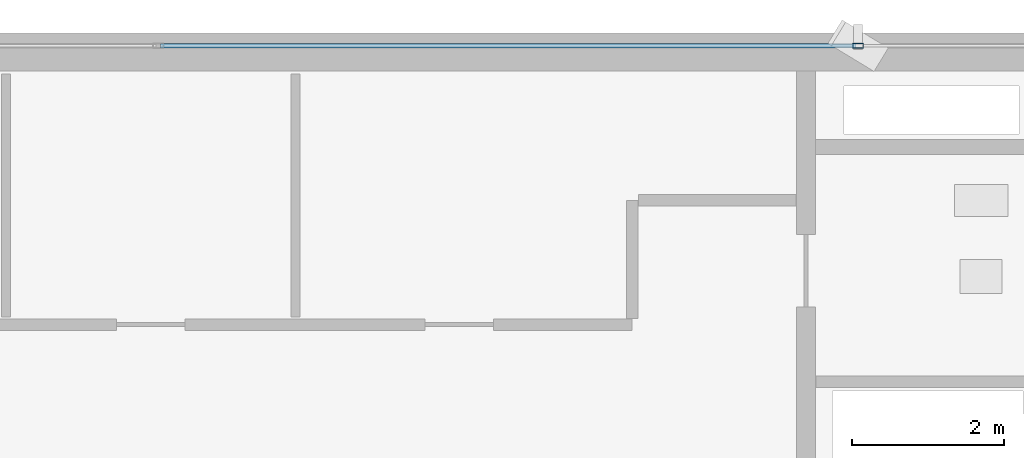
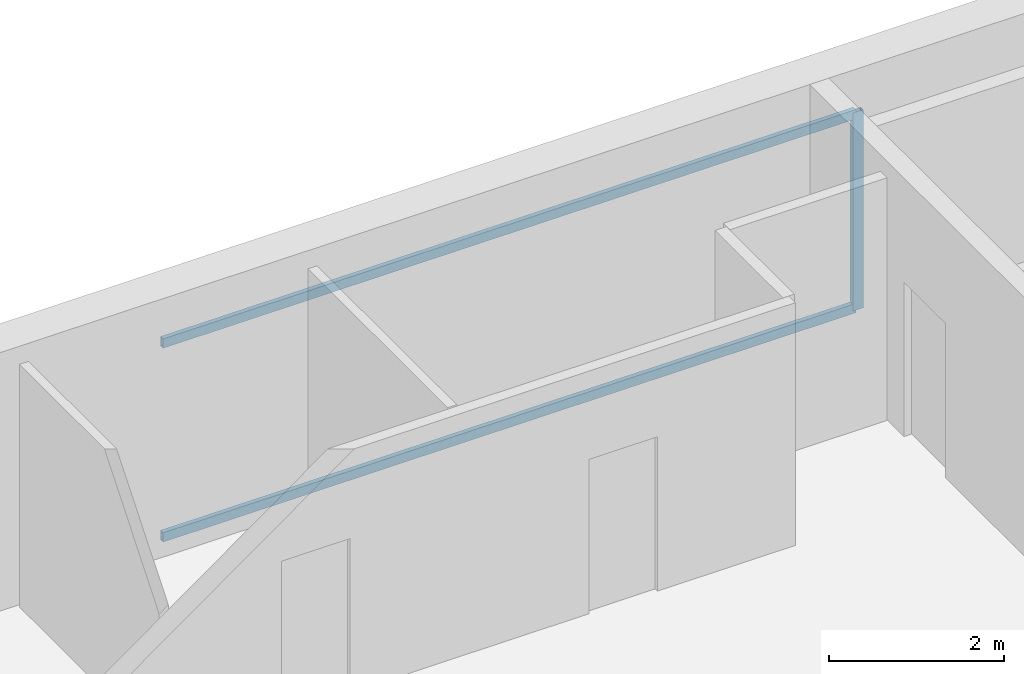
# One storey, part 21 of 29: 3 members, 1 element without a shape of its own.
"""IFC4 building model written with IfcOpenShell, lengths in metres."""

import ifcopenshell
import ifcopenshell.guid

model = None  # the IFC model being written
_history = None  # IfcOwnerHistory: only IFC2X3 demands one
_inside = {}  # id of a spatial element -> (the spatial element, [elements in it])
_under = {}  # id of a project, library or spatial element -> (it, [spatial elements below it])
_declared = {}  # id of a project -> (the project, [libraries it declares])
_typed = {}  # id of a type object -> (the type object, [elements of that type])
_made_of = {}  # id of a material, layer set ... -> (it, [elements and type objects made of it])


def new_model(schema):
    """Start an empty IFC model of exactly this schema.

    Asked for "IFC4X3", IfcOpenShell would pick the latest addendum, in which some entities
    have other attributes; the version numbers below select the first issue.
    IFC2X3 requires an IfcOwnerHistory on every rooted entity: one is made here for all.
    """
    global model, _history
    if schema == "IFC4X3":
        model = ifcopenshell.file(schema_version=(4, 3, 0, 0))
    else:
        model = ifcopenshell.file(schema=schema)
    _inside.clear()
    _under.clear()
    _declared.clear()
    _typed.clear()
    _made_of.clear()
    _history = None
    if model.schema == "IFC2X3":
        org = make("IfcOrganization", Name="unknown")
        user = make(
            "IfcPersonAndOrganization",
            ThePerson=make("IfcPerson", FamilyName="unknown"),
            TheOrganization=org,
        )
        app = make(
            "IfcApplication",
            ApplicationDeveloper=org,
            Version="unknown",
            ApplicationFullName="unknown",
            ApplicationIdentifier="unknown",
        )
        _history = make(
            "IfcOwnerHistory",
            OwningUser=user,
            OwningApplication=app,
            ChangeAction="ADDED",
            CreationDate=0,
        )
    return model


def make(cls, **values):
    """One entity of the class cls with the attributes given. An attribute that is None is left unset."""
    return model.create_entity(
        cls, **{name: value for name, value in values.items() if value is not None}
    )


def rooted(cls, **values):
    """An entity with a GlobalId (a new one), such as an element, a storey or a relation."""
    return make(cls, GlobalId=ifcopenshell.guid.new(), OwnerHistory=_history, **values)


def si_unit(unit_type, name, prefix=None):
    """IfcSIUnit, for example si_unit("LENGTHUNIT", "METRE", prefix="MILLI")."""
    return make("IfcSIUnit", UnitType=unit_type, Prefix=prefix, Name=name)


def assignment(units):
    """IfcUnitAssignment: the units of a project."""
    return None if units is None else make("IfcUnitAssignment", Units=units)


def point(xyz):
    """IfcCartesianPoint."""
    return None if xyz is None else make("IfcCartesianPoint", Coordinates=xyz)


def direction(xyz):
    """IfcDirection."""
    return None if xyz is None else make("IfcDirection", DirectionRatios=xyz)


def frame(location, z_axis=None, x_axis=None):
    """IfcAxis2Placement3D, a coordinate frame: its origin and axes. An axis left out is left unset."""
    return make(
        "IfcAxis2Placement3D",
        Location=point(location),
        Axis=direction(z_axis),
        RefDirection=direction(x_axis),
    )


def frame_2d(location, x_axis=None):
    """IfcAxis2Placement2D, a coordinate frame in the plane: its origin and x axis."""
    return make(
        "IfcAxis2Placement2D", Location=point(location), RefDirection=direction(x_axis)
    )


def origin():
    """The frame at (0, 0, 0) with its axes left unset."""
    return frame((0.0, 0.0, 0.0))


def origin_2d():
    """The frame at (0, 0) in the plane with its x axis left unset."""
    return frame_2d((0.0, 0.0))


def place(relative_to, where):
    """IfcLocalPlacement: puts the frame where relative to a parent placement (None: the world)."""
    return make(
        "IfcLocalPlacement", PlacementRelTo=relative_to, RelativePlacement=where
    )


def context(
    kind, dimensions, precision=None, world=None, true_north=None, identifier=None
):
    """IfcGeometricRepresentationContext, for example the 3D "Model" context."""
    return make(
        "IfcGeometricRepresentationContext",
        ContextIdentifier=identifier,
        ContextType=kind,
        CoordinateSpaceDimension=dimensions,
        Precision=precision,
        WorldCoordinateSystem=world,
        TrueNorth=true_north,
    )


def subcontext(parent, identifier, kind, view, scale=None):
    """IfcGeometricRepresentationSubContext, for example "Body" below "Model"."""
    return make(
        "IfcGeometricRepresentationSubContext",
        ContextIdentifier=identifier,
        ContextType=kind,
        ParentContext=parent,
        TargetScale=scale,
        TargetView=view,
    )


def project(units=None, contexts=None):
    """IfcProject with its units and contexts."""
    return rooted(
        "IfcProject",
        Name="project",
        RepresentationContexts=contexts,
        UnitsInContext=assignment(units),
    )


def spatial(cls, under=None, at=None, **own):
    """A site, building, storey or space (cls), placed at a placement, below another one or the project."""
    s = rooted(cls, ObjectPlacement=at, **own)
    if under is not None:
        _under.setdefault(under.id(), (under, []))[1].append(s)
    return s


def profile(cls, at=None, kind="AREA", **sizes):
    """A parametric profile (cls). Its sizes go by their IFC names, for example OverallWidth=200.0."""
    return make(cls, ProfileType=kind, Position=at, **sizes)


def hollow_rectangle(**sizes):
    """IfcRectangleHollowProfileDef."""
    return profile("IfcRectangleHollowProfileDef", **sizes)


def extrude(swept, where, along, depth):
    """IfcExtrudedAreaSolid: the profile swept, set in the frame where, extruded along a direction by depth."""
    return make(
        "IfcExtrudedAreaSolid",
        SweptArea=swept,
        Position=where,
        ExtrudedDirection=direction(along),
        Depth=depth,
    )


def shape(context_of_items, identifier, shape_type, items):
    """IfcShapeRepresentation: the items that make up one representation, for example the "Body"."""
    return make(
        "IfcShapeRepresentation",
        ContextOfItems=context_of_items,
        RepresentationIdentifier=identifier,
        RepresentationType=shape_type,
        Items=items,
    )


def source(mapping_origin, context_of_items, identifier, shape_type, items):
    """IfcRepresentationMap: a shape defined once, which mapped items show again and again."""
    return make(
        "IfcRepresentationMap",
        MappingOrigin=mapping_origin,
        MappedRepresentation=shape(context_of_items, identifier, shape_type, items),
    )


def transform(
    local_origin,
    x_axis=None,
    y_axis=None,
    z_axis=None,
    scale=None,
    scale2=None,
    scale3=None,
    uniform=True,
):
    """IfcCartesianTransformationOperator3D, or its non-uniform kind. x_axis, y_axis, z_axis: its Axis1, 2, 3."""
    if uniform:
        return make(
            "IfcCartesianTransformationOperator3D",
            Axis1=direction(x_axis),
            Axis2=direction(y_axis),
            LocalOrigin=point(local_origin),
            Scale=scale,
            Axis3=direction(z_axis),
        )
    return make(
        "IfcCartesianTransformationOperator3DnonUniform",
        Axis1=direction(x_axis),
        Axis2=direction(y_axis),
        LocalOrigin=point(local_origin),
        Scale=scale,
        Axis3=direction(z_axis),
        Scale2=scale2,
        Scale3=scale3,
    )


def mapped(mapping_source, mapping_target):
    """IfcMappedItem: shows the shape of a source again, moved by a transform."""
    return make(
        "IfcMappedItem", MappingSource=mapping_source, MappingTarget=mapping_target
    )


def material(Name=None, Category=None):
    """IfcMaterial."""
    return make("IfcMaterial", Name=Name, Category=Category)


def layer(
    of_material, thickness, ventilated=None, Name=None, Category=None, Priority=None
):
    """IfcMaterialLayer: one layer of a wall or slab, of a material (None: an air gap)."""
    return make(
        "IfcMaterialLayer",
        Material=of_material,
        LayerThickness=thickness,
        IsVentilated=ventilated,
        Name=Name,
        Category=Category,
        Priority=Priority,
    )


def layer_set(layers, Name=None):
    """IfcMaterialLayerSet."""
    return make("IfcMaterialLayerSet", MaterialLayers=layers, LayerSetName=Name)


def material_profile(
    of_material, cross_section, Name=None, Category=None, Priority=None
):
    """IfcMaterialProfile: a cross section and its material."""
    return make(
        "IfcMaterialProfile",
        Name=Name,
        Material=of_material,
        Profile=cross_section,
        Priority=Priority,
        Category=Category,
    )


def profile_set(profiles, Name=None, composite=None):
    """IfcMaterialProfileSet."""
    return make(
        "IfcMaterialProfileSet",
        Name=Name,
        MaterialProfiles=profiles,
        CompositeProfile=composite,
    )


def made_of(thing, what):
    """Note that an element or type object is made of a material, layer set ...; save() writes the relation."""
    if what is not None:
        _made_of.setdefault(what.id(), (what, []))[1].append(thing)
    return thing


def type_object(cls, material=None, **own):
    """A type object (cls), such as IfcWallType, which elements share."""
    return made_of(rooted(cls, **own), material)


def element(
    cls,
    number,
    at=None,
    inside=None,
    cuts=None,
    type_object=None,
    material=None,
    context=None,
    identifier="Body",
    shape_type=None,
    held_by="IfcProductDefinitionShape",
    body=None,
    shapes=None,
    **own,
):
    """One element of the class cls, such as IfcWall. Its Tag is "e" and its number.

    at: its placement. inside: the storey or other place that contains it. cuts: it is an
    opening in that element (IfcRelVoidsElement). A single representation is given by context,
    identifier, shape_type and body (its items); several are given by shapes. held_by: the class
    of the entity that holds the representations. save() writes the other relations.
    """
    e = rooted(cls, Tag="e%d" % number, ObjectPlacement=at, **own)
    if body is not None:
        shapes = [shape(context, identifier, shape_type, body)]
    if shapes is not None:
        e.Representation = make(held_by, Representations=shapes)
    if inside is not None:
        _inside.setdefault(inside.id(), (inside, []))[1].append(e)
    if cuts is not None:
        rooted(
            "IfcRelVoidsElement", RelatingBuildingElement=cuts, RelatedOpeningElement=e
        )
    if type_object is not None:
        _typed.setdefault(type_object.id(), (type_object, []))[1].append(e)
    return made_of(e, material)


def aggregate(whole, parts):
    """IfcRelAggregates: a whole, such as a stair, and the parts it consists of."""
    return rooted("IfcRelAggregates", RelatingObject=whole, RelatedObjects=parts)


def save(model, path):
    """Write the relations noted so far, then the file.

    IfcRelAggregates (storeys below a building ...), IfcRelContainedInSpatialStructure (elements
    in a storey), IfcRelDefinesByType, IfcRelAssociatesMaterial and IfcRelDeclares: one each for
    every whole, place, type object, material and project.
    """
    for whole, parts in _under.values():
        aggregate(whole, parts)
    for where, things in _inside.values():
        rooted(
            "IfcRelContainedInSpatialStructure",
            RelatedElements=things,
            RelatingStructure=where,
        )
    for kind, things in _typed.values():
        rooted("IfcRelDefinesByType", RelatedObjects=things, RelatingType=kind)
    for what, things in _made_of.values():
        rooted("IfcRelAssociatesMaterial", RelatedObjects=things, RelatingMaterial=what)
    for by, libraries in _declared.values():
        rooted("IfcRelDeclares", RelatingContext=by, RelatedDefinitions=libraries)
    model.write(path)


model = new_model("IFC4")

# Units and contexts
model_context = context("Model", 3, precision=1e-05, world=origin(), true_north=direction((0.0, 1.0)))
body_context = subcontext(model_context, "Body", "Model", "MODEL_VIEW")
ifc_project = project(units=[si_unit("LENGTHUNIT", "METRE"), si_unit("AREAUNIT", "SQUARE_METRE"), si_unit("VOLUMEUNIT", "CUBIC_METRE"), si_unit("PLANEANGLEUNIT", "RADIAN"), si_unit("MASSUNIT", "GRAM", prefix="KILO")], contexts=[model_context])

# Site, building, storey
site_placement = place(None, origin())
site = spatial("IfcSite", under=ifc_project, at=site_placement, CompositionType="ELEMENT")
building_placement = place(site_placement, origin())
building = spatial("IfcBuilding", under=site, at=building_placement, Name="Sumidabori Civic Tower", CompositionType="ELEMENT")
storey_placement = place(building_placement, frame((0.0, 0.0, 214.39990234375)))
storey = spatial("IfcBuildingStorey", under=building, at=storey_placement, Name="L55", CompositionType="ELEMENT", Elevation=214.39990234375)

# Curtain wall, members
ifc_material = material(Name="Anodised Bronze Aluminium AW-6063-T6", Category="aluminium")
ifc_layer = layer(ifc_material, 0.179931640625, Name="Anodised Bronze Aluminium AW-6063-T6")
ifc_layer_set = layer_set([ifc_layer], Name="Anodised Bronze Aluminium AW-6063-T6")
curtain_wall_type = type_object("IfcCurtainWallType", Name="CW-SYS-5", PredefinedType="NOTDEFINED", material=ifc_layer_set)
curtain_wall_placement = place(storey_placement, origin())
curtain_wall = element("IfcCurtainWall", 1, at=curtain_wall_placement, inside=storey, type_object=curtain_wall_type, Name="Curtain Wall CW:L55:R13", PredefinedType="NOTDEFINED")
ifc_material_profile_1 = material_profile(ifc_material, hollow_rectangle(XDim=0.06005859375, YDim=0.139892578125, WallThickness=0.0048828125, at=origin_2d()), Name="ALU MULLION 140x60")
ifc_profile_set_1 = profile_set([ifc_material_profile_1], Name="Anodised Bronze Aluminium AW-6063-T6")
member_type_1 = type_object("IfcMemberType", Name="CW-MUL-140", PredefinedType="MULLION", material=ifc_profile_set_1)
shared_shape_1 = source(origin(), body_context, "Body", "SweptSolid", [
    extrude(hollow_rectangle(XDim=0.06005859375, YDim=0.139892578125, WallThickness=0.0048828125, at=origin_2d()), origin(), (0.0, 0.0, 1.0), 2.760009765625),
])
member_1_placement = place(storey_placement, frame((9.18505859375, 23.8798828125, 0.0), z_axis=(0.0, 0.0, 1.0), x_axis=(0.0, -1.0, 0.0)))
member_1 = element("IfcMember", 2, at=member_1_placement, type_object=member_type_1, Name="CW-5 mullion 2", PredefinedType="MULLION", context=body_context, shape_type="MappedRepresentation", body=[
    mapped(shared_shape_1, transform((0.0, 0.0, 0.0), x_axis=(1.0, 0.0, 0.0), y_axis=(0.0, 1.0, 0.0), z_axis=(0.0, 0.0, 1.0), scale=1.0)),
])
ifc_material_profile_2 = material_profile(ifc_material, hollow_rectangle(XDim=0.06005859375, YDim=0.1298828125, WallThickness=0.0048828125, at=origin_2d()), Name="ALU TRANSOM 130x60")
ifc_profile_set_2 = profile_set([ifc_material_profile_2], Name="Anodised Bronze Aluminium AW-6063-T6")
member_type_2 = type_object("IfcMemberType", Name="CW-TRN-130", PredefinedType="USERDEFINED", material=ifc_profile_set_2)
shared_shape_2 = source(origin(), body_context, "Body", "SweptSolid", [
    extrude(hollow_rectangle(XDim=0.06005859375, YDim=0.1298828125, WallThickness=0.0048828125, at=origin_2d()), origin(), (0.0, 0.0, 1.0), 9.125),
])
member_2_placement = place(storey_placement, frame((9.155029296875, 23.8798828125, 0.030029296875), z_axis=(-1.0, 0.0, 0.0), x_axis=(0.0, -1.0, 0.0)))
member_2 = element("IfcMember", 3, at=member_2_placement, type_object=member_type_2, Name="CW-5 transom 2.1", ObjectType="TRANSOM", PredefinedType="USERDEFINED", context=body_context, shape_type="MappedRepresentation", body=[
    mapped(shared_shape_2, transform((0.0, 0.0, 0.0), x_axis=(1.0, 0.0, 0.0), y_axis=(0.0, 1.0, 0.0), z_axis=(0.0, 0.0, 1.0), scale=1.0)),
])
member_3_placement = place(storey_placement, frame((9.155029296875, 23.8798828125, 2.72998046875), z_axis=(-1.0, 0.0, 0.0), x_axis=(0.0, -1.0, 0.0)))
member_3 = element("IfcMember", 4, at=member_3_placement, type_object=member_type_2, Name="CW-5 transom 2.2", ObjectType="TRANSOM", PredefinedType="USERDEFINED", context=body_context, shape_type="MappedRepresentation", body=[
    mapped(shared_shape_2, transform((0.0, 0.0, 0.0), x_axis=(1.0, 0.0, 0.0), y_axis=(0.0, 1.0, 0.0), z_axis=(0.0, 0.0, 1.0), scale=1.0)),
])
aggregate(curtain_wall, [member_1, member_2, member_3])

save(model, "model.ifc")
